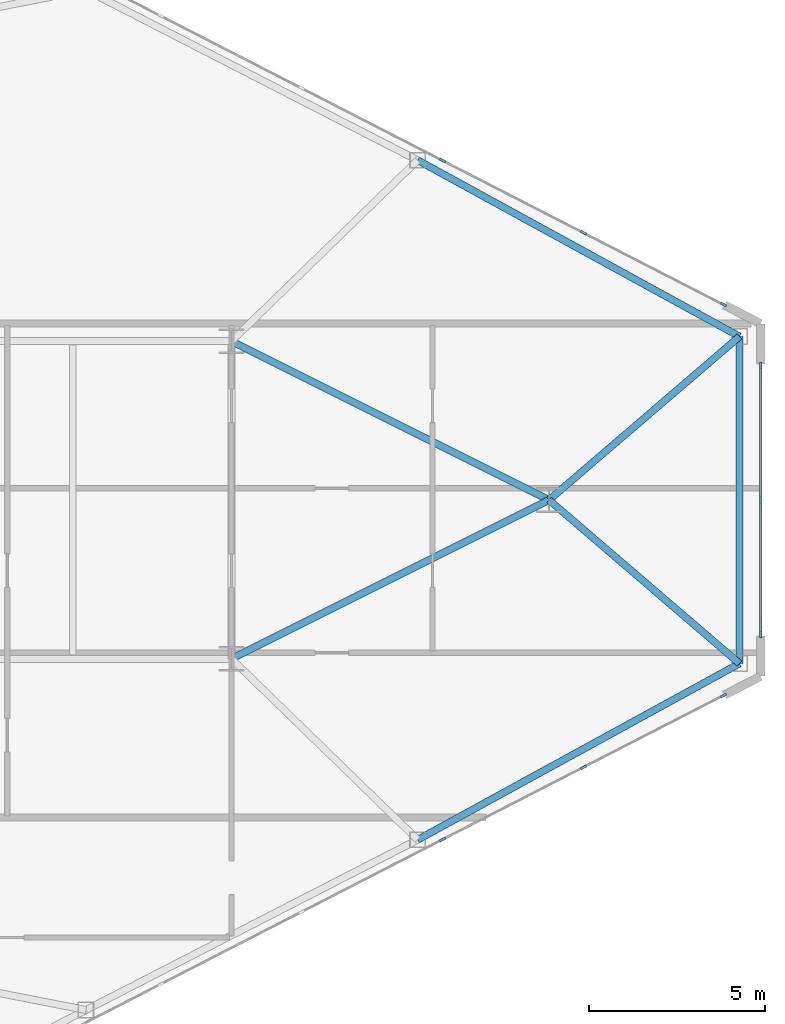
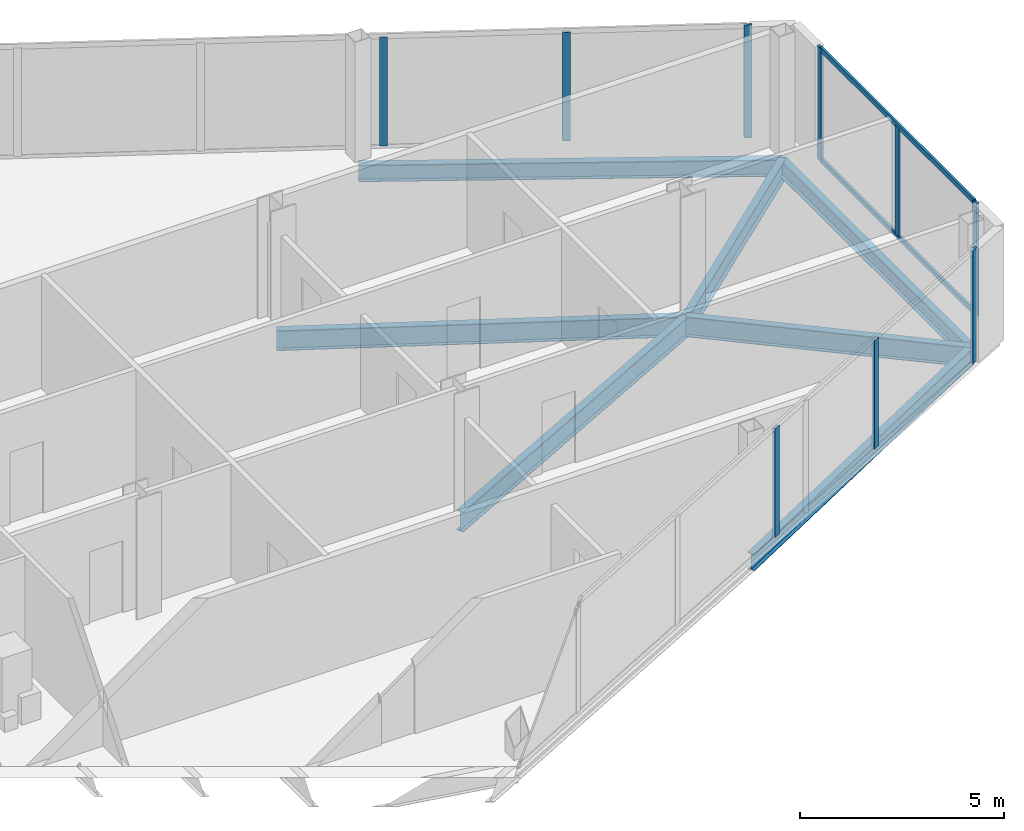
# One storey, part 13 of 23: 11 members, 7 beams, 3 elements without a shape of their own.
"""IFC4 building model written with IfcOpenShell, lengths in metres."""

from ifc_helpers import new_model, si_unit, direction, frame, origin, origin_2d, place, context, subcontext, project, spatial, rectangle, i_section, extrude, source, transform, mapped, material, layer, layer_set, material_profile, profile_set, type_object, type_shapes, element, aggregate, save


model = new_model("IFC4")

# Units and contexts
model_context = context("Model", 3, precision=1e-05, world=origin(), true_north=direction((0.0, 1.0)))
body_context = subcontext(model_context, "Body", "Model", "MODEL_VIEW")
ifc_project = project(units=[si_unit("LENGTHUNIT", "METRE"), si_unit("AREAUNIT", "SQUARE_METRE"), si_unit("VOLUMEUNIT", "CUBIC_METRE"), si_unit("PLANEANGLEUNIT", "RADIAN"), si_unit("MASSUNIT", "GRAM", prefix="KILO")], contexts=[model_context])

# Site, building, storey
site_placement = place(None, origin())
site = spatial("IfcSite", under=ifc_project, at=site_placement, CompositionType="ELEMENT")
building_placement = place(site_placement, origin())
building = spatial("IfcBuilding", under=site, at=building_placement, Name="Seokmaru Belvedere", CompositionType="ELEMENT")
storey_placement = place(building_placement, frame((0.0, 0.0, 128.39990234375)))
storey = spatial("IfcBuildingStorey", under=building, at=storey_placement, Name="L34", CompositionType="ELEMENT", Elevation=128.39990234375)

# Beams
ifc_material_1 = material(Name="Steel SM355 (355 MPa)", Category="steel")
ifc_material_profile_1 = material_profile(ifc_material_1, i_section(OverallWidth=0.199951171875, OverallDepth=0.60009765625, WebThickness=0.010986328125, FlangeThickness=0.01708984375, at=origin_2d()), Name="H-600x200x11x17")
ifc_profile_set_1 = profile_set([ifc_material_profile_1], Name="Steel SM355 (355 MPa)")
beam_type_1 = type_object("IfcBeamType", Name="Primary Floor Girder H-600", PredefinedType="BEAM", material=ifc_profile_set_1)
shared_shape_1 = source(origin(), body_context, "Body", "SweptSolid", [
    extrude(i_section(OverallWidth=0.199951171875, OverallDepth=0.60009765625, WebThickness=0.010986328125, FlangeThickness=0.01708984375, at=origin_2d()), origin(), (0.0, 0.0, 1.0), 10.062255859375),
])
for number, where, z_axis, x_axis, name in (
    (1, (54.5, -4.5, -0.52001953125), (0.894427191, 0.4472135955, 0.0), (-0.4472135955, 0.894427191, 0.0), "L34 E Apex Converging Girder 1"),
    (2, (54.5, 4.5, -0.52001953125), (0.894427191, -0.4472135955, 0.0), (0.4472135955, 0.894427191, 0.0), "L34 E Apex Converging Girder 2"),
):
    element("IfcBeam", number, at=place(storey_placement, frame(where, z_axis=z_axis, x_axis=x_axis)), inside=storey, type_object=beam_type_1, Name=name, PredefinedType="BEAM", context=body_context, shape_type="MappedRepresentation", body=[
        mapped(shared_shape_1, transform((0.0, 0.0, 0.0), scale=1.0)),
    ])
ifc_material_profile_2 = material_profile(ifc_material_1, i_section(OverallWidth=0.199951171875, OverallDepth=0.5, WebThickness=0.010009765625, FlangeThickness=0.01611328125, at=origin_2d()), Name="H-500x200x10x16")
ifc_profile_set_2 = profile_set([ifc_material_profile_2], Name="Steel SM355 (355 MPa)")
beam_type_2 = type_object("IfcBeamType", Name="Perimeter Spandrel Beam H-500", PredefinedType="SPANDREL", material=ifc_profile_set_2)
shared_shape_2 = source(origin(), body_context, "Body", "SweptSolid", [
    extrude(i_section(OverallWidth=0.199951171875, OverallDepth=0.5, WebThickness=0.010009765625, FlangeThickness=0.01611328125, at=origin_2d()), origin(), (0.0, 0.0, 1.0), 10.399658203125),
])
for number, where, z_axis, x_axis, name in (
    (3, (59.778564453125, -9.62890625, -0.469970703125), (0.877082374422, 0.480339992587, 0.0), (-0.480339992587, 0.877082374422, 0.0), "L34 E Faceted Flank Spandrel S-4"),
    (4, (59.778564453125, 9.62890625, -0.469970703125), (0.877082374422, -0.480339992587, 0.0), (0.480339992587, 0.877082374422, 0.0), "L34 E Faceted Flank Spandrel N-4"),
):
    element("IfcBeam", number, at=place(storey_placement, frame(where, z_axis=z_axis, x_axis=x_axis)), inside=storey, type_object=beam_type_2, Name=name, PredefinedType="SPANDREL", context=body_context, shape_type="MappedRepresentation", body=[
        mapped(shared_shape_2, transform((0.0, 0.0, 0.0), scale=1.0)),
    ])
shared_shape_3 = source(origin(), body_context, "Body", "SweptSolid", [
    extrude(i_section(OverallWidth=0.199951171875, OverallDepth=0.5, WebThickness=0.010009765625, FlangeThickness=0.01611328125, at=origin_2d()), origin(), (0.0, 0.0, 1.0), 9.26708984375),
])
type_shapes(beam_type_2, [shared_shape_2, shared_shape_3])
beam_placement = place(storey_placement, frame((68.89990234375, -4.633544921875, -0.469970703125), z_axis=(0.0, 1.0, 0.0), x_axis=(-1.0, 0.0, 0.0)))
element("IfcBeam", 5, at=beam_placement, inside=storey, type_object=beam_type_2, Name="L34 E Faceted Apex Spandrel", PredefinedType="SPANDREL", context=body_context, shape_type="MappedRepresentation", body=[
    mapped(shared_shape_3, transform((0.0, 0.0, 0.0), scale=1.0)),
])
shared_shape_4 = source(origin(), body_context, "Body", "SweptSolid", [
    extrude(i_section(OverallWidth=0.199951171875, OverallDepth=0.60009765625, WebThickness=0.010986328125, FlangeThickness=0.01708984375, at=origin_2d()), origin(), (0.0, 0.0, 1.0), 7.115478515625),
])
type_shapes(beam_type_1, [shared_shape_1, shared_shape_4])
for number, where, z_axis, x_axis, name in (
    (6, (68.89990234375, -4.633544921875, -0.52001953125), (-0.758905301881, 0.651201000289, 0.0), (-0.651201000289, -0.758905301881, 0.0), "L34 E Apex Radial Floor Girder 1"),
    (7, (68.89990234375, 4.633544921875, -0.52001953125), (-0.758905301881, -0.651201000289, 0.0), (0.651201000289, -0.758905301881, 0.0), "L34 E Apex Radial Floor Girder 2"),
):
    element("IfcBeam", number, at=place(storey_placement, frame(where, z_axis=z_axis, x_axis=x_axis)), inside=storey, type_object=beam_type_1, Name=name, PredefinedType="BEAM", context=body_context, shape_type="MappedRepresentation", body=[
        mapped(shared_shape_4, transform((0.0, 0.0, 0.0), scale=1.0)),
    ])

# Curtain wall, member
ifc_material_2 = material(Name="Bronze Triple Insulating Glass", Category="glass")
ifc_layer = layer(ifc_material_2, 0.195068359375)
ifc_layer_set = layer_set([ifc_layer], Name="Bronze Triple Insulating Glass")
curtain_wall_type = type_object("IfcCurtainWallType", Name="Sky-Lobby and Mid-Rise Curtain Wall System CW-4", PredefinedType="NOTDEFINED", material=ifc_layer_set)
curtain_wall_1_placement = place(storey_placement, origin())
curtain_wall_1 = element("IfcCurtainWall", 8, at=curtain_wall_1_placement, inside=storey, type_object=curtain_wall_type, Name="L34 Curtain Wall EF1", PredefinedType="NOTDEFINED")
ifc_material_3 = material(Name="Anodised Bronze Aluminium", Category="aluminium")
ifc_material_profile_3 = material_profile(ifc_material_3, rectangle(XDim=0.070068359375, YDim=0.195068359375, at=origin_2d()), Name="CW-M-70x195")
ifc_profile_set_3 = profile_set([ifc_material_profile_3], Name="Anodised Bronze Aluminium")
member_type_1 = type_object("IfcMemberType", Name="Bronze Unitised Mullion 70x195", PredefinedType="MULLION", material=ifc_profile_set_3)
shared_shape_5 = source(origin(), body_context, "Body", "SweptSolid", [
    extrude(rectangle(XDim=0.070068359375, YDim=0.195068359375, at=origin_2d()), origin(), (0.0, 0.0, 1.0), 3.380126953125),
])
member_1_placement = place(storey_placement, frame((68.44580078125, -5.541015625, 0.0), z_axis=(0.0, 0.0, 1.0), x_axis=(-0.456554528263, 0.889695432562, 0.0)))
member_1 = element("IfcMember", 9, at=member_1_placement, type_object=member_type_1, Name="CW:L34:EF1 Mullion 10", PredefinedType="MULLION", context=body_context, shape_type="MappedRepresentation", body=[
    mapped(shared_shape_5, transform((0.0, 0.0, 0.0), scale=1.0)),
])

# Curtain wall, members
curtain_wall_2_placement = place(storey_placement, origin())
curtain_wall_2 = element("IfcCurtainWall", 10, at=curtain_wall_2_placement, inside=storey, type_object=curtain_wall_type, Name="L34 Curtain Wall EF2", PredefinedType="NOTDEFINED")
member_2_placement = place(storey_placement, frame((69.5, -3.81494140625, 0.0), z_axis=(0.0, 0.0, 1.0), x_axis=(-1.0, 0.0, 0.0)))
member_2 = element("IfcMember", 11, at=member_2_placement, type_object=member_type_1, Name="CW:L34:EF2 Mullion 1", PredefinedType="MULLION", context=body_context, shape_type="MappedRepresentation", body=[
    mapped(shared_shape_5, transform((0.0, 0.0, 0.0), scale=1.0)),
])
member_3_placement = place(storey_placement, frame((69.5, 3.81494140625, 0.0), z_axis=(0.0, 0.0, 1.0), x_axis=(-1.0, 0.0, 0.0)))
member_3 = element("IfcMember", 12, at=member_3_placement, type_object=member_type_1, Name="CW:L34:EF2 Mullion 3", PredefinedType="MULLION", context=body_context, shape_type="MappedRepresentation", body=[
    mapped(shared_shape_5, transform((0.0, 0.0, 0.0), scale=1.0)),
])

# Curtain wall, member
curtain_wall_3_placement = place(storey_placement, origin())
curtain_wall_3 = element("IfcCurtainWall", 13, at=curtain_wall_3_placement, inside=storey, type_object=curtain_wall_type, Name="L34 Curtain Wall EF3", PredefinedType="NOTDEFINED")
member_4_placement = place(storey_placement, frame((68.44580078125, 5.541015625, 0.0), z_axis=(0.0, 0.0, 1.0), x_axis=(-0.456554528263, -0.889695432562, 0.0)))
member_4 = element("IfcMember", 14, at=member_4_placement, type_object=member_type_1, Name="CW:L34:EF3 Mullion 1", PredefinedType="MULLION", context=body_context, shape_type="MappedRepresentation", body=[
    mapped(shared_shape_5, transform((0.0, 0.0, 0.0), scale=1.0)),
])

# Member
shared_shape_6 = source(origin(), body_context, "Body", "SweptSolid", [
    extrude(rectangle(XDim=0.070068359375, YDim=0.195068359375, at=origin_2d()), origin(), (0.0, 0.0, 1.0), 3.25),
])
type_shapes(member_type_1, [shared_shape_5, shared_shape_6])
member_5_placement = place(storey_placement, frame((60.4873046875, -9.625, 0.065185546875), z_axis=(0.0, 0.0, 1.0), x_axis=(-0.456554528263, 0.889695432562, 0.0)))
member_5 = element("IfcMember", 15, at=member_5_placement, type_object=member_type_1, Name="CW:L34:EF1 Mullion 8", PredefinedType="MULLION", context=body_context, shape_type="MappedRepresentation", body=[
    mapped(shared_shape_6, transform((0.0, 0.0, 0.0), scale=1.0)),
])

member_6_placement = place(storey_placement, frame((64.48193359375, -7.574951171875, 0.065185546875), z_axis=(0.0, 0.0, 1.0), x_axis=(-0.456554528263, 0.889695432562, 0.0)))
member_6 = element("IfcMember", 16, at=member_6_placement, type_object=member_type_1, Name="CW:L34:EF1 Mullion 9", PredefinedType="MULLION", context=body_context, shape_type="MappedRepresentation", body=[
    mapped(shared_shape_6, transform((0.0, 0.0, 0.0), scale=1.0)),
])

aggregate(curtain_wall_1, [member_5, member_6, member_1])

member_7_placement = place(storey_placement, frame((69.5, 0.0, 0.065185546875), z_axis=(0.0, 0.0, 1.0), x_axis=(-1.0, 0.0, 0.0)))
member_7 = element("IfcMember", 17, at=member_7_placement, type_object=member_type_1, Name="CW:L34:EF2 Mullion 2", PredefinedType="MULLION", context=body_context, shape_type="MappedRepresentation", body=[
    mapped(shared_shape_6, transform((0.0, 0.0, 0.0), scale=1.0)),
])

member_8_placement = place(storey_placement, frame((64.48193359375, 7.574951171875, 0.065185546875), z_axis=(0.0, 0.0, 1.0), x_axis=(-0.456554528263, -0.889695432562, 0.0)))
member_8 = element("IfcMember", 18, at=member_8_placement, type_object=member_type_1, Name="CW:L34:EF3 Mullion 2", PredefinedType="MULLION", context=body_context, shape_type="MappedRepresentation", body=[
    mapped(shared_shape_6, transform((0.0, 0.0, 0.0), scale=1.0)),
])

member_9_placement = place(storey_placement, frame((60.4873046875, 9.625, 0.065185546875), z_axis=(0.0, 0.0, 1.0), x_axis=(-0.456554528263, -0.889695432562, 0.0)))
member_9 = element("IfcMember", 19, at=member_9_placement, type_object=member_type_1, Name="CW:L34:EF3 Mullion 3", PredefinedType="MULLION", context=body_context, shape_type="MappedRepresentation", body=[
    mapped(shared_shape_6, transform((0.0, 0.0, 0.0), scale=1.0)),
])

aggregate(curtain_wall_3, [member_4, member_8, member_9])

ifc_material_profile_4 = material_profile(ifc_material_3, rectangle(XDim=0.06494140625, YDim=0.14990234375, at=origin_2d()), Name="CW-T-65x150")
ifc_profile_set_4 = profile_set([ifc_material_profile_4], Name="Anodised Bronze Aluminium")
member_type_2 = type_object("IfcMemberType", Name="Bronze Unitised Transom 65x150", PredefinedType="USERDEFINED", material=ifc_profile_set_4)
shared_shape_7 = source(origin(), body_context, "Body", "SweptSolid", [
    extrude(rectangle(XDim=0.06494140625, YDim=0.14990234375, at=origin_2d()), origin(), (0.0, 0.0, 1.0), 7.56005859375),
])
type_shapes(member_type_2, [shared_shape_7])
member_10_placement = place(storey_placement, frame((69.5, -3.780029296875, 0.03271484375), z_axis=(0.0, 1.0, 0.0), x_axis=(-1.0, 0.0, 0.0)))
member_10 = element("IfcMember", 20, at=member_10_placement, type_object=member_type_2, Name="CW:L34:EF2 Continuous Transom 1", ObjectType="TRANSOM", PredefinedType="USERDEFINED", context=body_context, shape_type="MappedRepresentation", body=[
    mapped(shared_shape_7, transform((0.0, 0.0, 0.0), scale=1.0)),
])

member_11_placement = place(storey_placement, frame((69.5, -3.780029296875, 3.34765625), z_axis=(0.0, 1.0, 0.0), x_axis=(-1.0, 0.0, 0.0)))
member_11 = element("IfcMember", 21, at=member_11_placement, type_object=member_type_2, Name="CW:L34:EF2 Continuous Transom 2", ObjectType="TRANSOM", PredefinedType="USERDEFINED", context=body_context, shape_type="MappedRepresentation", body=[
    mapped(shared_shape_7, transform((0.0, 0.0, 0.0), scale=1.0)),
])

aggregate(curtain_wall_2, [member_2, member_7, member_3, member_10, member_11])

save(model, "model.ifc")
